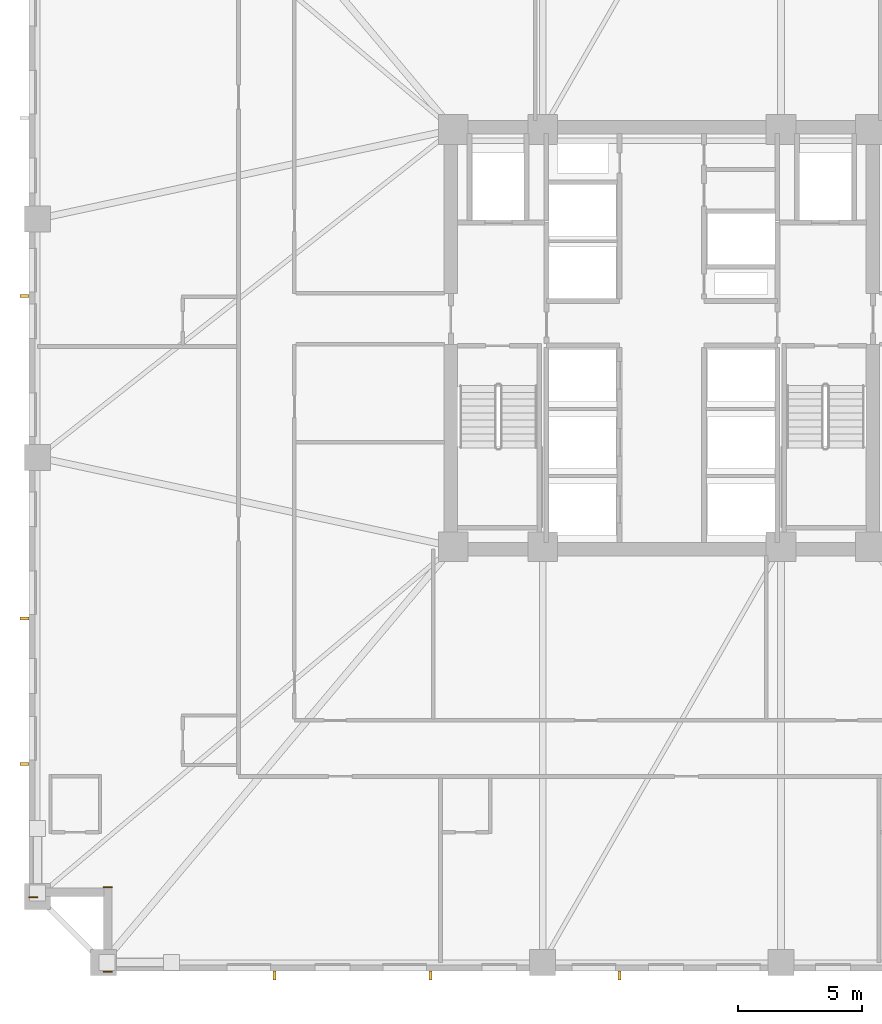
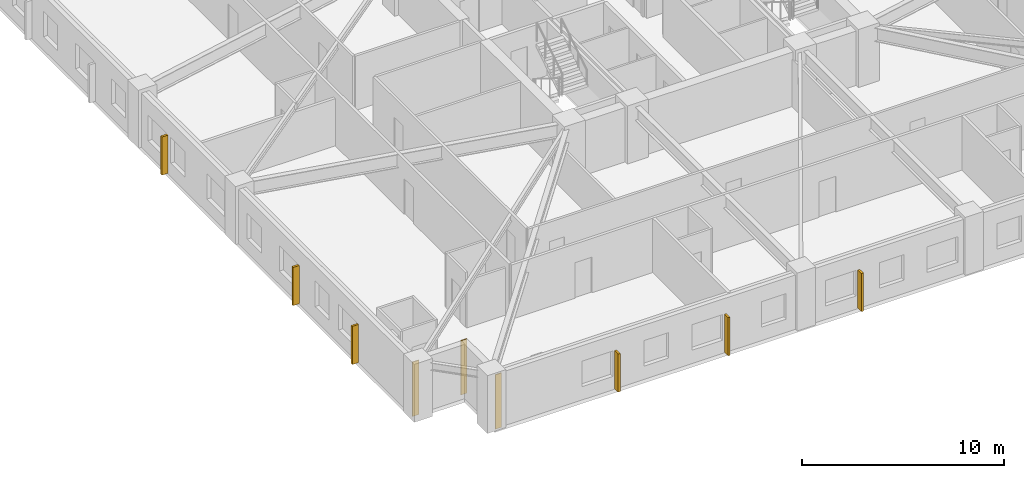
# One storey, part 7 of 11: 6 shading devices, 3 coverings.
"""IFC4 building model written with IfcOpenShell, lengths in metres."""

from ifc_helpers import new_model, si_unit, direction, frame, frame_2d, origin, origin_2d, place, context, subcontext, project, spatial, rectangle, extrude, material, layer, layer_set, type_object, element, save


model = new_model("IFC4")

# Units and contexts
model_context = context("Model", 3, precision=1e-05, world=origin(), true_north=direction((0.0, 1.0)))
body_context = subcontext(model_context, "Body", "Model", "MODEL_VIEW")
ifc_project = project(units=[si_unit("LENGTHUNIT", "METRE"), si_unit("AREAUNIT", "SQUARE_METRE"), si_unit("VOLUMEUNIT", "CUBIC_METRE"), si_unit("PLANEANGLEUNIT", "RADIAN"), si_unit("MASSUNIT", "GRAM", prefix="KILO")], contexts=[model_context])

# Site, building, storey
site_placement = place(None, origin())
site = spatial("IfcSite", under=ifc_project, at=site_placement, CompositionType="ELEMENT")
building_placement = place(site_placement, origin())
building = spatial("IfcBuilding", under=site, at=building_placement, Name="Cairnveth Concourse Tower", CompositionType="ELEMENT")
storey_placement = place(building_placement, frame((0.0, 0.0, 65.5)))
storey = spatial("IfcBuildingStorey", under=building, at=storey_placement, Name="L17", CompositionType="ELEMENT", Elevation=65.5)

# Coverings
ifc_material_1 = material(Name="Dressed Melbourne Bluestone Cladding", Category="masonry")
ifc_layer = layer(ifc_material_1, 0.050048828125)
ifc_layer_set = layer_set([ifc_layer], Name="Dressed Melbourne Bluestone Cladding")
covering_type = type_object("IfcCoveringType", Name="DRESSED BLUESTONE PLINTH CLADDING 50", PredefinedType="CLADDING", material=ifc_layer_set)
for number, where, z_axis, x_axis, name in (
    (1, (29.860107421875, 13.47998046875, 0.0), (0.0, 0.0, 1.0), (-1.0, 0.0, 0.0), "Melbourne Bluestone Corner Quoin L17-219"),
    (2, (29.860107421875, 16.8798828125, 0.0), (0.0, 0.0, 1.0), (-1.0, 0.0, 0.0), "Melbourne Bluestone Corner Quoin L17-220"),
    (3, (26.860107421875, 16.47998046875, 0.0), (0.0, 0.0, 1.0), (-1.0, 0.0, 0.0), "Melbourne Bluestone Corner Quoin L17-221"),
):
    element("IfcCovering", number, at=place(storey_placement, frame(where, z_axis=z_axis, x_axis=x_axis)), inside=storey, type_object=covering_type, Name=name, PredefinedType="CLADDING", context=body_context, shape_type="SweptSolid", body=[
        extrude(rectangle(XDim=0.360107421875, YDim=0.050048828125, at=frame_2d((0.18017578125, 0.0))), origin(), (0.0, 0.0, 1.0), 3.280029296875),
    ])

# Shading devices
ifc_material_2 = material(Name="Architectural Bronze Anodised Aluminium 6063-T6", Category="aluminium")
shading_device_type = type_object("IfcShadingDeviceType", Name="GOTHIC BRONZE VERTICAL LANCET FIN", PredefinedType="USERDEFINED", material=ifc_material_2)
for number, where, z_axis, x_axis, name in (
    (4, (50.293701171875, 13.324951171875, 0.02978515625), (0.0, 0.0, 1.0), (1.0, 0.0, 0.0), "Gothic Bronze Vertical Fin L17-3-7"),
    (5, (42.673583984375, 13.324951171875, 0.02978515625), (0.0, 0.0, 1.0), (1.0, 0.0, 0.0), "Gothic Bronze Vertical Fin L17-3-9"),
    (6, (36.403076171875, 13.324951171875, 0.02978515625), (0.0, 0.0, 1.0), (1.0, 0.0, 0.0), "Gothic Bronze Vertical Fin L17-3-11"),
    (7, (26.324951171875, 21.84521484375, 0.02978515625), (0.0, 0.0, 1.0), (0.0, 1.0, 0.0), "Gothic Bronze Vertical Fin L17-6-1"),
    (8, (26.324951171875, 27.715576171875, 0.02978515625), (0.0, 0.0, 1.0), (0.0, 1.0, 0.0), "Gothic Bronze Vertical Fin L17-6-3"),
    (9, (26.324951171875, 40.706298828125, 0.02978515625), (0.0, 0.0, 1.0), (0.0, 1.0, 0.0), "Gothic Bronze Vertical Fin L17-6-7"),
):
    element("IfcShadingDevice", number, at=place(storey_placement, frame(where, z_axis=z_axis, x_axis=x_axis)), inside=storey, type_object=shading_device_type, Name=name, ObjectType="VERTICAL FIN", PredefinedType="USERDEFINED", context=body_context, shape_type="SweptSolid", body=[
        extrude(rectangle(XDim=0.1201171875, YDim=0.360107421875, at=origin_2d()), origin(), (0.0, 0.0, 1.0), 2.303955078125),
    ])

save(model, "model.ifc")
